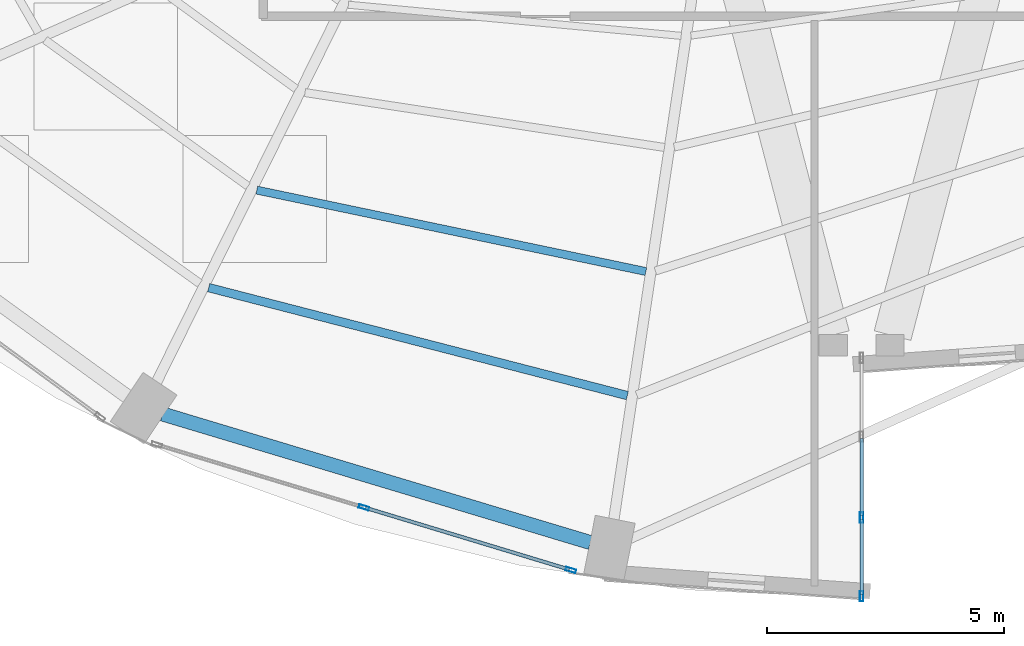
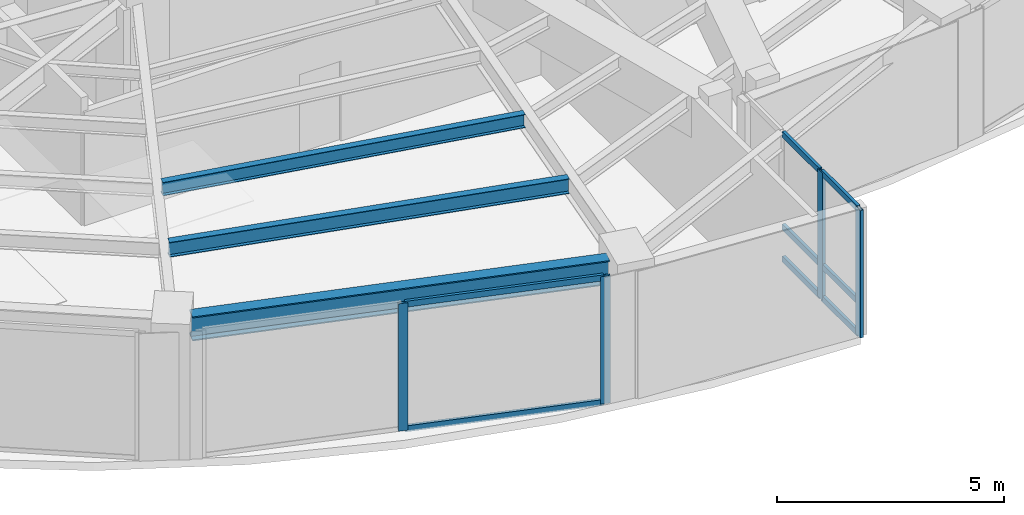
# One storey, part 5 of 25: 12 members, 3 beams, 2 elements without a shape of their own.
"""IFC4 building model written with IfcOpenShell, lengths in metres."""

from ifc_helpers import new_model, si_unit, direction, frame, origin, origin_2d, place, context, subcontext, project, spatial, hollow_rectangle, i_section, extrude, material, layer, layer_set, material_profile, profile_set, type_object, element, aggregate, save


model = new_model("IFC4")

# Units and contexts
model_context = context("Model", 3, precision=1e-05, world=origin(), true_north=direction((0.0, 1.0)))
body_context = subcontext(model_context, "Body", "Model", "MODEL_VIEW")
ifc_project = project(units=[si_unit("LENGTHUNIT", "METRE"), si_unit("AREAUNIT", "SQUARE_METRE"), si_unit("VOLUMEUNIT", "CUBIC_METRE"), si_unit("PLANEANGLEUNIT", "RADIAN"), si_unit("MASSUNIT", "GRAM", prefix="KILO")], contexts=[model_context])

# Site, building, storey
site_placement = place(None, origin())
site = spatial("IfcSite", under=ifc_project, at=site_placement, CompositionType="ELEMENT")
building_placement = place(site_placement, origin())
building = spatial("IfcBuilding", under=site, at=building_placement, Name="Lazwardi Medical Tower", CompositionType="ELEMENT")
storey_placement = place(building_placement, frame((0.0, 0.0, 43.43994140625)))
storey = spatial("IfcBuildingStorey", under=building, at=storey_placement, Name="L10", CompositionType="ELEMENT", Elevation=43.43994140625)

# Beams
ifc_material_1 = material(Name="Steel S355", Category="steel")
ifc_material_profile_1 = material_profile(ifc_material_1, i_section(OverallWidth=0.300048828125, OverallDepth=0.64990234375, WebThickness=0.01611328125, FlangeThickness=0.031005859375, at=origin_2d()), Name="HEB 650")
ifc_profile_set_1 = profile_set([ifc_material_profile_1], Name="Steel S355")
beam_type_1 = type_object("IfcBeamType", Name="BM-RB-Z1", PredefinedType="BEAM", material=ifc_profile_set_1)
beam_1_placement = place(storey_placement, frame((21.22119140625, 8.9951171875, 3.10302734375), z_axis=(0.957695289269, -0.287784177662, 0.0), x_axis=(0.287784177662, 0.957695289269, 0.0)))
element("IfcBeam", 1, at=beam_1_placement, inside=storey, type_object=beam_type_1, Name="Ring beam RB-02 B15 L10", PredefinedType="BEAM", context=body_context, shape_type="SweptSolid", body=[
    extrude(i_section(OverallWidth=0.300048828125, OverallDepth=0.64990234375, WebThickness=0.01611328125, FlangeThickness=0.031005859375, at=origin_2d()), origin(), (0.0, 0.0, 1.0), 9.445556640625),
])
ifc_material_profile_2 = material_profile(ifc_material_1, i_section(OverallWidth=0.179931640625, OverallDepth=0.39990234375, WebThickness=0.008544921875, FlangeThickness=0.013427734375, at=origin_2d()), Name="IPE 400")
ifc_profile_set_2 = profile_set([ifc_material_profile_2], Name="Steel S355")
beam_type_2 = type_object("IfcBeamType", Name="BM-SJ-01", PredefinedType="JOIST", material=ifc_profile_set_2)
beam_2_placement = place(storey_placement, frame((22.195068359375, 11.666748046875, 3.22802734375), z_axis=(0.968316918308, -0.249724539682, 0.0), x_axis=(0.249724539682, 0.968316918308, 0.0)))
element("IfcBeam", 2, at=beam_2_placement, inside=storey, type_object=beam_type_2, Name="Secondary joist SJ-01 R1 B15 L10", PredefinedType="JOIST", context=body_context, shape_type="SweptSolid", body=[
    extrude(i_section(OverallWidth=0.179931640625, OverallDepth=0.39990234375, WebThickness=0.008544921875, FlangeThickness=0.013427734375, at=origin_2d()), origin(), (0.0, 0.0, 1.0), 9.140869140625),
])
ifc_material_profile_3 = material_profile(ifc_material_1, i_section(OverallWidth=0.169921875, OverallDepth=0.360107421875, WebThickness=0.008056640625, FlangeThickness=0.0126953125, at=origin_2d()), Name="IPE 360")
ifc_profile_set_3 = profile_set([ifc_material_profile_3], Name="Steel S355")
beam_type_3 = type_object("IfcBeamType", Name="BM-SJ-02", PredefinedType="JOIST", material=ifc_profile_set_3)
beam_3_placement = place(storey_placement, frame((23.213623046875, 13.728271484375, 3.248046875), z_axis=(0.978809182847, -0.204774470026, 0.0), x_axis=(0.204774470026, 0.978809182847, 0.0)))
element("IfcBeam", 3, at=beam_3_placement, inside=storey, type_object=beam_type_3, Name="Secondary joist SJ-02 R2 B15 L10", PredefinedType="JOIST", context=body_context, shape_type="SweptSolid", body=[
    extrude(i_section(OverallWidth=0.169921875, OverallDepth=0.360107421875, WebThickness=0.008056640625, FlangeThickness=0.0126953125, at=origin_2d()), origin(), (0.0, 0.0, 1.0), 8.40283203125),
])

# Curtain wall, members
ifc_material_2 = material(Name="Anodised bronze aluminium and solar control glazing", Category="aluminium")
ifc_layer_1 = layer(ifc_material_2, 0.199951171875)
ifc_layer_set_1 = layer_set([ifc_layer_1], Name="Anodised bronze aluminium and solar control glazing")
curtain_wall_type_1 = type_object("IfcCurtainWallType", Name="CW-SYS-02", PredefinedType="NOTDEFINED", material=ifc_layer_set_1)
curtain_wall_1_placement = place(storey_placement, origin())
curtain_wall_1 = element("IfcCurtainWall", 4, at=curtain_wall_1_placement, inside=storey, type_object=curtain_wall_type_1, Name="L10 Unitised bronze curtain wall CW-02", PredefinedType="NOTDEFINED")
ifc_material_3 = material(Name="Anodised bronze aluminium", Category="aluminium")
ifc_material_profile_4 = material_profile(ifc_material_3, hollow_rectangle(XDim=0.074951171875, YDim=0.219970703125, WallThickness=0.00390625, at=origin_2d()), Name="ALU-MULLION 220x75x4")
ifc_profile_set_4 = profile_set([ifc_material_profile_4], Name="Anodised bronze aluminium")
member_type_1 = type_object("IfcMemberType", Name="CW-MUL-01", PredefinedType="MULLION", material=ifc_profile_set_4)
member_1_placement = place(storey_placement, frame((25.476806640625, 7.021484375, 0.0), z_axis=(0.0, 0.0, 1.0), x_axis=(0.2898956909, 0.957058247129, 0.0)))
member_1 = element("IfcMember", 5, at=member_1_placement, type_object=member_type_1, Name="CW-02 mullion 2", PredefinedType="MULLION", context=body_context, shape_type="SweptSolid", body=[
    extrude(hollow_rectangle(XDim=0.074951171875, YDim=0.219970703125, WallThickness=0.00390625, at=origin_2d()), origin(), (0.0, 0.0, 1.0), 3.427978515625),
])
member_2_placement = place(storey_placement, frame((29.85205078125, 5.6962890625, 0.0), z_axis=(0.0, 0.0, 1.0), x_axis=(0.2898956909, 0.957058247129, 0.0)))
member_2 = element("IfcMember", 6, at=member_2_placement, type_object=member_type_1, Name="CW-02 mullion 3", PredefinedType="MULLION", context=body_context, shape_type="SweptSolid", body=[
    extrude(hollow_rectangle(XDim=0.074951171875, YDim=0.219970703125, WallThickness=0.00390625, at=origin_2d()), origin(), (0.0, 0.0, 1.0), 3.427978515625),
])

ifc_layer_2 = layer(ifc_material_2, 0.2099609375)
ifc_layer_set_2 = layer_set([ifc_layer_2], Name="Anodised bronze aluminium and solar control glazing")
curtain_wall_type_2 = type_object("IfcCurtainWallType", Name="CW-SYS-06", PredefinedType="NOTDEFINED", material=ifc_layer_set_2)
curtain_wall_2_placement = place(storey_placement, origin())
curtain_wall_2 = element("IfcCurtainWall", 7, at=curtain_wall_2_placement, inside=storey, type_object=curtain_wall_type_2, Name="L10 Unitised bronze curtain wall CW-06", PredefinedType="NOTDEFINED")
member_3_placement = place(storey_placement, frame((36.0, 5.137451171875, 0.0), z_axis=(0.0, 0.0, 1.0), x_axis=(-1.0, 0.0, 0.0)))
member_3 = element("IfcMember", 8, at=member_3_placement, type_object=member_type_1, Name="CW-06 mullion 1", PredefinedType="MULLION", context=body_context, shape_type="SweptSolid", body=[
    extrude(hollow_rectangle(XDim=0.074951171875, YDim=0.219970703125, WallThickness=0.00390625, at=origin_2d()), origin(), (0.0, 0.0, 1.0), 3.427978515625),
])
member_4_placement = place(storey_placement, frame((36.0, 6.806640625, 0.0), z_axis=(0.0, 0.0, 1.0), x_axis=(-1.0, 0.0, 0.0)))
member_4 = element("IfcMember", 9, at=member_4_placement, type_object=member_type_1, Name="CW-06 mullion 2", PredefinedType="MULLION", context=body_context, shape_type="SweptSolid", body=[
    extrude(hollow_rectangle(XDim=0.074951171875, YDim=0.219970703125, WallThickness=0.00390625, at=origin_2d()), origin(), (0.0, 0.0, 1.0), 3.427978515625),
])

# Member
ifc_material_profile_5 = material_profile(ifc_material_3, hollow_rectangle(XDim=0.074951171875, YDim=0.159912109375, WallThickness=0.00390625, at=origin_2d()), Name="ALU-TRANSOM 160x75x4")
ifc_profile_set_5 = profile_set([ifc_material_profile_5], Name="Anodised bronze aluminium")
member_type_2 = type_object("IfcMemberType", Name="CW-TRN-01", PredefinedType="USERDEFINED", material=ifc_profile_set_5)
member_5_placement = place(storey_placement, frame((25.5126953125, 7.0107421875, 0.03759765625), z_axis=(0.957047233423, -0.28993204893, 0.0), x_axis=(0.28993204893, 0.957047233423, 0.0)))
member_5 = element("IfcMember", 10, at=member_5_placement, type_object=member_type_2, Name="CW-02 transom 2.1", ObjectType="TRANSOM", PredefinedType="USERDEFINED", context=body_context, shape_type="SweptSolid", body=[
    extrude(hollow_rectangle(XDim=0.074951171875, YDim=0.159912109375, WallThickness=0.00390625, at=origin_2d()), origin(), (0.0, 0.0, 1.0), 4.49658203125),
])

member_6_placement = place(storey_placement, frame((25.5126953125, 7.0107421875, 3.390625), z_axis=(0.957047233423, -0.28993204893, 0.0), x_axis=(0.28993204893, 0.957047233423, 0.0)))
member_6 = element("IfcMember", 11, at=member_6_placement, type_object=member_type_2, Name="CW-02 transom 2.2", ObjectType="TRANSOM", PredefinedType="USERDEFINED", context=body_context, shape_type="SweptSolid", body=[
    extrude(hollow_rectangle(XDim=0.074951171875, YDim=0.159912109375, WallThickness=0.00390625, at=origin_2d()), origin(), (0.0, 0.0, 1.0), 4.49658203125),
])

aggregate(curtain_wall_1, [member_1, member_2, member_5, member_6])

member_7_placement = place(storey_placement, frame((36.0, 5.175048828125, 0.03759765625), z_axis=(0.0, 1.0, 0.0), x_axis=(-1.0, 0.0, 0.0)))
member_7 = element("IfcMember", 12, at=member_7_placement, type_object=member_type_2, Name="CW-06 transom 1.1", ObjectType="TRANSOM", PredefinedType="USERDEFINED", context=body_context, shape_type="SweptSolid", body=[
    extrude(hollow_rectangle(XDim=0.074951171875, YDim=0.159912109375, WallThickness=0.00390625, at=origin_2d()), origin(), (0.0, 0.0, 1.0), 1.59423828125),
])

member_8_placement = place(storey_placement, frame((36.0, 5.175048828125, 0.900146484375), z_axis=(0.0, 1.0, 0.0), x_axis=(-1.0, 0.0, 0.0)))
member_8 = element("IfcMember", 13, at=member_8_placement, type_object=member_type_2, Name="CW-06 transom 1.2", ObjectType="TRANSOM", PredefinedType="USERDEFINED", context=body_context, shape_type="SweptSolid", body=[
    extrude(hollow_rectangle(XDim=0.074951171875, YDim=0.159912109375, WallThickness=0.00390625, at=origin_2d()), origin(), (0.0, 0.0, 1.0), 1.59423828125),
])

member_9_placement = place(storey_placement, frame((36.0, 5.175048828125, 3.390625), z_axis=(0.0, 1.0, 0.0), x_axis=(-1.0, 0.0, 0.0)))
member_9 = element("IfcMember", 14, at=member_9_placement, type_object=member_type_2, Name="CW-06 transom 1.3", ObjectType="TRANSOM", PredefinedType="USERDEFINED", context=body_context, shape_type="SweptSolid", body=[
    extrude(hollow_rectangle(XDim=0.074951171875, YDim=0.159912109375, WallThickness=0.00390625, at=origin_2d()), origin(), (0.0, 0.0, 1.0), 1.59423828125),
])

member_10_placement = place(storey_placement, frame((36.0, 6.84423828125, 0.03759765625), z_axis=(0.0, 1.0, 0.0), x_axis=(-1.0, 0.0, 0.0)))
member_10 = element("IfcMember", 15, at=member_10_placement, type_object=member_type_2, Name="CW-06 transom 2.1", ObjectType="TRANSOM", PredefinedType="USERDEFINED", context=body_context, shape_type="SweptSolid", body=[
    extrude(hollow_rectangle(XDim=0.074951171875, YDim=0.159912109375, WallThickness=0.00390625, at=origin_2d()), origin(), (0.0, 0.0, 1.0), 1.631591796875),
])

member_11_placement = place(storey_placement, frame((36.0, 6.84423828125, 0.900146484375), z_axis=(0.0, 1.0, 0.0), x_axis=(-1.0, 0.0, 0.0)))
member_11 = element("IfcMember", 16, at=member_11_placement, type_object=member_type_2, Name="CW-06 transom 2.2", ObjectType="TRANSOM", PredefinedType="USERDEFINED", context=body_context, shape_type="SweptSolid", body=[
    extrude(hollow_rectangle(XDim=0.074951171875, YDim=0.159912109375, WallThickness=0.00390625, at=origin_2d()), origin(), (0.0, 0.0, 1.0), 1.631591796875),
])

member_12_placement = place(storey_placement, frame((36.0, 6.84423828125, 3.390625), z_axis=(0.0, 1.0, 0.0), x_axis=(-1.0, 0.0, 0.0)))
member_12 = element("IfcMember", 17, at=member_12_placement, type_object=member_type_2, Name="CW-06 transom 2.3", ObjectType="TRANSOM", PredefinedType="USERDEFINED", context=body_context, shape_type="SweptSolid", body=[
    extrude(hollow_rectangle(XDim=0.074951171875, YDim=0.159912109375, WallThickness=0.00390625, at=origin_2d()), origin(), (0.0, 0.0, 1.0), 1.631591796875),
])

aggregate(curtain_wall_2, [member_3, member_4, member_7, member_8, member_9, member_10, member_11, member_12])

save(model, "model.ifc")
